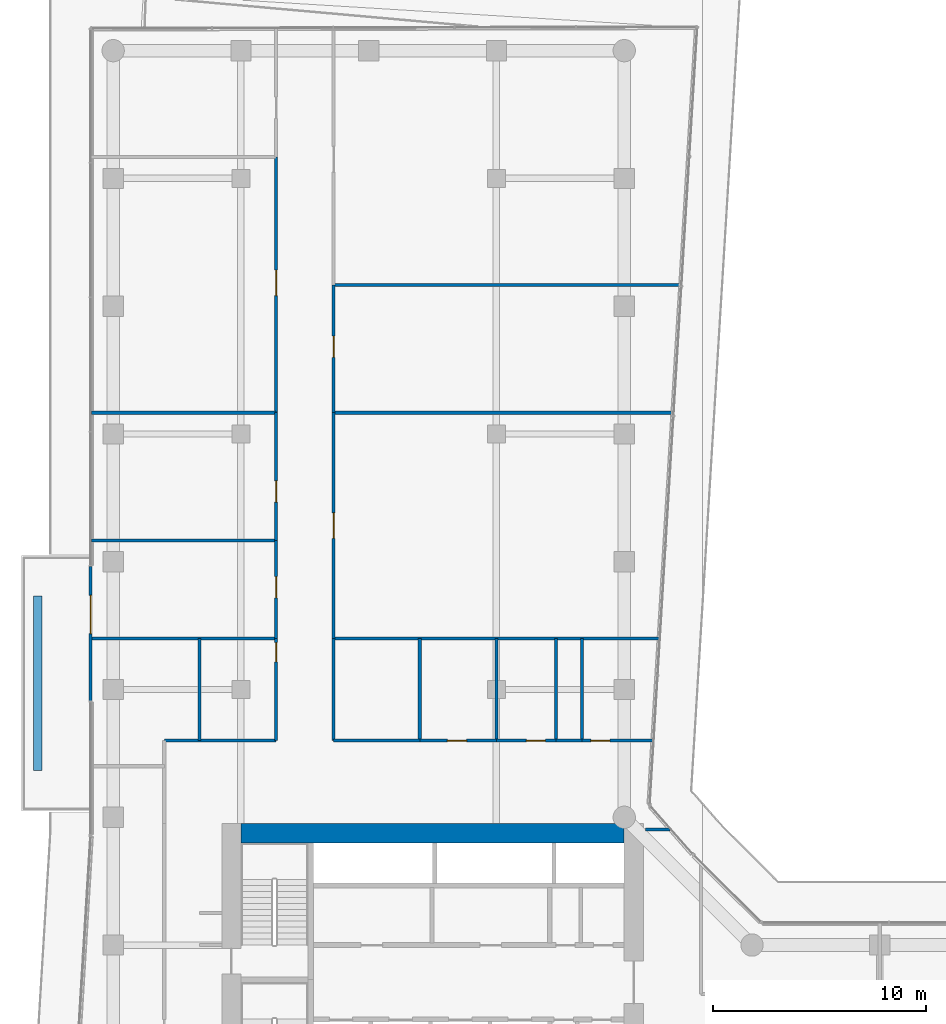
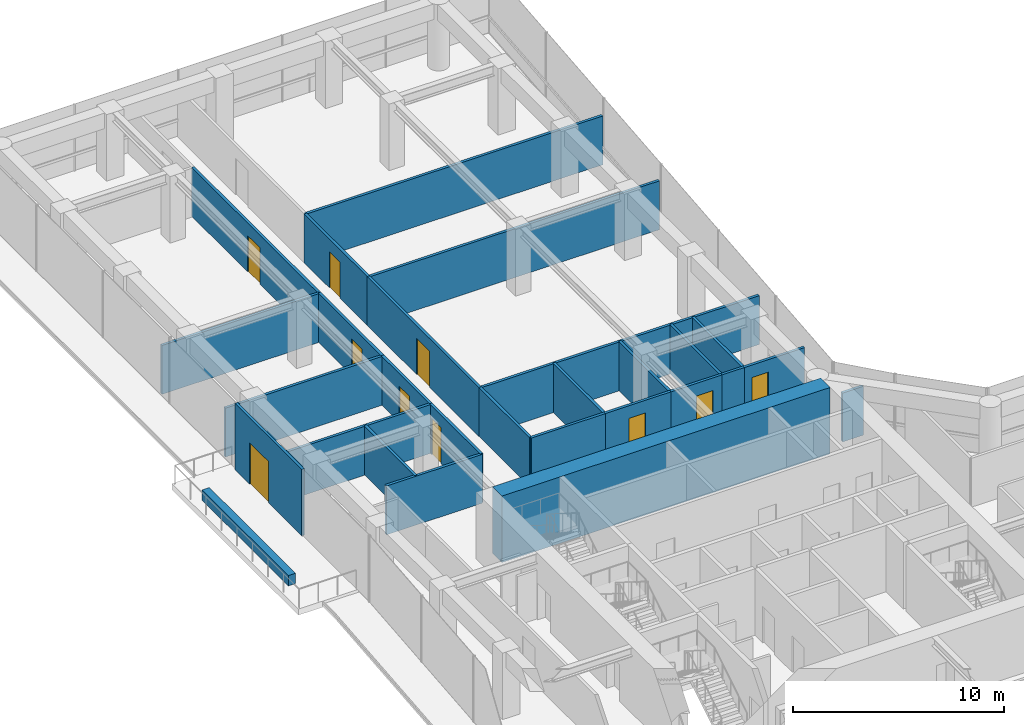
# One storey, part 23 of 27: 28 walls, 10 doors, 10 openings.
"""IFC4 building model written with IfcOpenShell, lengths in metres."""

from ifc_helpers import new_model, si_unit, direction, frame, frame_2d, origin, place, context, subcontext, project, spatial, rectangle, extrude, material, layer, layer_set, type_object, element, fill, save


model = new_model("IFC4")

# Units and contexts
model_context = context("Model", 3, precision=1e-05, world=origin(), true_north=direction((0.0, 1.0)))
body_context = subcontext(model_context, "Body", "Model", "MODEL_VIEW")
ifc_project = project(units=[si_unit("LENGTHUNIT", "METRE"), si_unit("AREAUNIT", "SQUARE_METRE"), si_unit("VOLUMEUNIT", "CUBIC_METRE"), si_unit("PLANEANGLEUNIT", "RADIAN"), si_unit("MASSUNIT", "GRAM", prefix="KILO")], contexts=[model_context])

# Site, building, storey
site_placement = place(None, origin())
site = spatial("IfcSite", under=ifc_project, at=site_placement, CompositionType="ELEMENT")
building_placement = place(site_placement, origin())
building = spatial("IfcBuilding", under=site, at=building_placement, Name="Welwitschia Terrace Campus", CompositionType="ELEMENT")
storey_placement = place(building_placement, frame((0.0, 0.0, 37.39990234375)))
storey = spatial("IfcBuildingStorey", under=building, at=storey_placement, Name="L08", CompositionType="ELEMENT", Elevation=37.39990234375)

# Wall, opening, door
ifc_material_1 = material(Name="Concrete C40/50", Category="concrete")
ifc_layer_1 = layer(ifc_material_1, 0.139892578125)
ifc_layer_set_1 = layer_set([ifc_layer_1], Name="Concrete C40/50")
wall_type_1 = type_object("IfcWallType", Name="Clad wall 140", PredefinedType="SOLIDWALL", material=ifc_layer_set_1)
wall_1_placement = place(storey_placement, frame((-1.05810546875, 37.784423828125, 0.0), z_axis=(0.0, 0.0, 1.0), x_axis=(0.0, -1.0, 0.0)))
wall_1 = element("IfcWall", 1, at=wall_1_placement, inside=storey, type_object=wall_type_1, Name="Clad wall L08.terrace door 0", PredefinedType="SOLIDWALL", context=body_context, shape_type="SweptSolid", body=[
    extrude(rectangle(XDim=6.31689453125, YDim=0.139892578125, at=frame_2d((3.158447265625, 0.0))), origin(), (0.0, 0.0, 1.0), 3.85009765625),
])
opening_1_placement = place(wall_1_placement, frame((1.35888671875, 0.0, 0.0)))
opening_1 = element("IfcOpeningElement", 2, at=opening_1_placement, cuts=wall_1, Name="Opening DE3", PredefinedType="OPENING", context=body_context, shape_type="SweptSolid", body=[
    extrude(rectangle(XDim=1.800048828125, YDim=2.39990234375, at=frame_2d((0.89990234375, 1.199951171875))), frame((0.0, 0.079833984375, 0.0), z_axis=(0.0, -1.0, 0.0), x_axis=(1.0, 0.0, 0.0)), (0.0, 0.0, 1.0), 0.159912109375),
])
ifc_material_2 = material(Name="Bronze anodised aluminium and glass", Category="aluminium")
door_type_1 = type_object("IfcDoorType", Name="Terrace door 1800x2400", OperationType="DOUBLE_DOOR_DOUBLE_SWING", PredefinedType="DOOR", material=ifc_material_2)
door_1_placement = place(opening_1_placement, origin())
door_1 = element("IfcDoor", 3, at=door_1_placement, inside=storey, type_object=door_type_1, Name="Door L08:T0", OperationType="DOUBLE_DOOR_DOUBLE_SWING", OverallHeight=2.39990234375, OverallWidth=1.800048828125, PredefinedType="DOOR", context=body_context, shape_type="SweptSolid", body=[
    extrude(rectangle(XDim=1.800048828125, YDim=2.39990234375, at=frame_2d((0.89990234375, 1.199951171875))), frame((0.0, 0.02490234375, 0.0), z_axis=(0.0, -1.0, 0.0), x_axis=(1.0, 0.0, 0.0)), (0.0, 0.0, 1.0), 0.050048828125),
])
fill(opening_1, door_1)

# Walls
ifc_material_3 = material(Name="Concrete C70/85", Category="concrete")
ifc_layer_2 = layer(ifc_material_3, 0.89990234375)
ifc_layer_set_2 = layer_set([ifc_layer_2], Name="Concrete C70/85")
wall_type_2 = type_object("IfcWallType", Name="Core wall 900 Concrete C70/85", PredefinedType="SHEAR", material=ifc_layer_set_2)
wall_2_placement = place(storey_placement, frame((6.0, 25.25, 0.0), z_axis=(0.0, 0.0, 1.0), x_axis=(1.0, 0.0, 0.0)))
element("IfcWall", 4, at=wall_2_placement, inside=storey, type_object=wall_type_2, Name="Core outer wall", PredefinedType="SHEAR", context=body_context, shape_type="SweptSolid", body=[
    extrude(rectangle(XDim=18.0, YDim=0.89990234375, at=frame_2d((9.0, 0.0))), origin(), (0.0, 0.0, 1.0), 3.85009765625),
])
ifc_material_4 = material(Name="Gypsum board on steel studs", Category="steel")
ifc_layer_3 = layer(ifc_material_4, 0.14990234375)
ifc_layer_set_3 = layer_set([ifc_layer_3], Name="Gypsum board on steel studs")
wall_type_3 = type_object("IfcWallType", Name="Corridor partition 150 EI 30", PredefinedType="PARTITIONING", material=ifc_layer_set_3)
for number, where, z_axis, x_axis, name in (
    (5, (-1.010009765625, 34.39990234375, 0.0), (0.0, 0.0, 1.0), (1.0, 0.0, 0.0), "Partition"),
    (6, (-1.010009765625, 39.0, 0.0), (0.0, 0.0, 1.0), (1.0, 0.0, 0.0), "Partition"),
    (7, (-1.010009765625, 45.0, 0.0), (0.0, 0.0, 1.0), (1.0, 0.0, 0.0), "Partition"),
):
    element("IfcWall", number, at=place(storey_placement, frame(where, z_axis=z_axis, x_axis=x_axis)), inside=storey, type_object=wall_type_3, Name=name, PredefinedType="PARTITIONING", context=body_context, shape_type="SweptSolid", body=[
        extrude(rectangle(XDim=8.659912109375, YDim=0.14990234375, at=frame_2d((4.330078125, 0.0))), origin(), (0.0, 0.0, 1.0), 2.830078125),
    ])
wall_3_placement = place(storey_placement, frame((2.39990234375, 29.60009765625, 0.0), z_axis=(0.0, 0.0, 1.0), x_axis=(1.0, 0.0, 0.0)))
element("IfcWall", 8, at=wall_3_placement, inside=storey, type_object=wall_type_3, Name="Partition", PredefinedType="PARTITIONING", context=body_context, shape_type="SweptSolid", body=[
    extrude(rectangle(XDim=5.25, YDim=0.14990234375, at=frame_2d((2.625, 0.0))), origin(), (0.0, 0.0, 1.0), 2.830078125),
])
wall_4_placement = place(storey_placement, frame((4.050048828125, 29.60009765625, 0.0), z_axis=(0.0, 0.0, 1.0), x_axis=(0.0, 1.0, 0.0)))
element("IfcWall", 9, at=wall_4_placement, inside=storey, type_object=wall_type_3, Name="Partition", PredefinedType="PARTITIONING", context=body_context, shape_type="SweptSolid", body=[
    extrude(rectangle(XDim=4.7998046875, YDim=0.14990234375, at=frame_2d((2.39990234375, 0.0))), origin(), (0.0, 0.0, 1.0), 2.830078125),
])

# Wall, opening, door
wall_5_placement = place(storey_placement, frame((7.64990234375, 29.60009765625, 0.0), z_axis=(0.0, 0.0, 1.0), x_axis=(0.0, 1.0, 0.0)))
wall_5 = element("IfcWall", 10, at=wall_5_placement, inside=storey, type_object=wall_type_3, Name="Partition", PredefinedType="PARTITIONING", context=body_context, shape_type="SweptSolid", body=[
    extrude(rectangle(XDim=4.7998046875, YDim=0.14990234375, at=frame_2d((2.39990234375, 0.0))), origin(), (0.0, 0.0, 1.0), 2.830078125),
])
opening_2_placement = place(wall_5_placement, frame((3.699951171875, 0.0, 0.0)))
opening_2 = element("IfcOpeningElement", 11, at=opening_2_placement, cuts=wall_5, Name="Opening DI09", PredefinedType="OPENING", context=body_context, shape_type="SweptSolid", body=[
    extrude(rectangle(XDim=0.89990234375, YDim=2.10009765625, at=frame_2d((0.449951171875, 1.050048828125))), frame((0.0, 0.0849609375, 0.0), z_axis=(0.0, -1.0, 0.0), x_axis=(1.0, 0.0, 0.0)), (0.0, 0.0, 1.0), 0.169921875),
])
ifc_material_5 = material(Name="Timber veneered door", Category="wood")
door_type_2 = type_object("IfcDoorType", Name="Interior door DI09", OperationType="NOTDEFINED", PredefinedType="DOOR", material=ifc_material_5)
door_2_placement = place(opening_2_placement, origin())
door_2 = element("IfcDoor", 12, at=door_2_placement, inside=storey, type_object=door_type_2, Name="Door L08 189", OperationType="SINGLE_SWING_RIGHT", OverallHeight=2.10009765625, OverallWidth=0.89990234375, PredefinedType="DOOR", context=body_context, shape_type="SweptSolid", body=[
    extrude(rectangle(XDim=0.89990234375, YDim=2.10009765625, at=frame_2d((0.449951171875, 1.050048828125))), frame((0.0, 0.02490234375, 0.0), z_axis=(0.0, -1.0, 0.0), x_axis=(1.0, 0.0, 0.0)), (0.0, 0.0, 1.0), 0.050048828125),
])
fill(opening_2, door_2)

wall_6_placement = place(storey_placement, frame((7.64990234375, 34.39990234375, 0.0), z_axis=(0.0, 0.0, 1.0), x_axis=(0.0, 1.0, 0.0)))
wall_6 = element("IfcWall", 13, at=wall_6_placement, inside=storey, type_object=wall_type_3, Name="Partition", PredefinedType="PARTITIONING", context=body_context, shape_type="SweptSolid", body=[
    extrude(rectangle(XDim=4.60009765625, YDim=0.14990234375, at=frame_2d((2.300048828125, 0.0))), origin(), (0.0, 0.0, 1.0), 2.830078125),
])
opening_3_placement = place(wall_6_placement, frame((1.89990234375, 0.0, 0.0)))
opening_3 = element("IfcOpeningElement", 14, at=opening_3_placement, cuts=wall_6, Name="Opening DI10", PredefinedType="OPENING", context=body_context, shape_type="SweptSolid", body=[
    extrude(rectangle(XDim=1.0, YDim=2.10009765625, at=frame_2d((0.5, 1.050048828125))), frame((0.0, 0.0849609375, 0.0), z_axis=(0.0, -1.0, 0.0), x_axis=(1.0, 0.0, 0.0)), (0.0, 0.0, 1.0), 0.169921875),
])
ifc_material_6 = material(Name="Timber veneered door", Category="wood")
door_type_3 = type_object("IfcDoorType", Name="Interior door DI10", OperationType="NOTDEFINED", PredefinedType="DOOR", material=ifc_material_6)
door_3_placement = place(opening_3_placement, origin())
door_3 = element("IfcDoor", 15, at=door_3_placement, inside=storey, type_object=door_type_3, Name="Door L08 190", OperationType="SINGLE_SWING_LEFT", OverallHeight=2.10009765625, OverallWidth=1.0, PredefinedType="DOOR", context=body_context, shape_type="SweptSolid", body=[
    extrude(rectangle(XDim=1.0, YDim=2.10009765625, at=frame_2d((0.5, 1.050048828125))), frame((0.0, 0.02490234375, 0.0), z_axis=(0.0, -1.0, 0.0), x_axis=(1.0, 0.0, 0.0)), (0.0, 0.0, 1.0), 0.050048828125),
])
fill(opening_3, door_3)

wall_7_placement = place(storey_placement, frame((7.64990234375, 39.0, 0.0), z_axis=(0.0, 0.0, 1.0), x_axis=(0.0, 1.0, 0.0)))
wall_7 = element("IfcWall", 16, at=wall_7_placement, inside=storey, type_object=wall_type_3, Name="Partition", PredefinedType="PARTITIONING", context=body_context, shape_type="SweptSolid", body=[
    extrude(rectangle(XDim=6.0, YDim=0.14990234375, at=frame_2d((3.0, 0.0))), origin(), (0.0, 0.0, 1.0), 2.830078125),
])
opening_4_placement = place(wall_7_placement, frame((1.800048828125, 0.0, 0.0)))
opening_4 = element("IfcOpeningElement", 17, at=opening_4_placement, cuts=wall_7, Name="Opening DI10", PredefinedType="OPENING", context=body_context, shape_type="SweptSolid", body=[
    extrude(rectangle(XDim=1.0, YDim=2.10009765625, at=frame_2d((0.5, 1.050048828125))), frame((0.0, 0.0849609375, 0.0), z_axis=(0.0, -1.0, 0.0), x_axis=(1.0, 0.0, 0.0)), (0.0, 0.0, 1.0), 0.169921875),
])
door_4_placement = place(opening_4_placement, origin())
door_4 = element("IfcDoor", 18, at=door_4_placement, inside=storey, type_object=door_type_3, Name="Door L08 191", OperationType="SINGLE_SWING_RIGHT", OverallHeight=2.10009765625, OverallWidth=1.0, PredefinedType="DOOR", context=body_context, shape_type="SweptSolid", body=[
    extrude(rectangle(XDim=1.0, YDim=2.10009765625, at=frame_2d((0.5, 1.050048828125))), frame((0.0, 0.02490234375, 0.0), z_axis=(0.0, -1.0, 0.0), x_axis=(1.0, 0.0, 0.0)), (0.0, 0.0, 1.0), 0.050048828125),
])
fill(opening_4, door_4)

wall_8_placement = place(storey_placement, frame((7.64990234375, 45.0, 0.0), z_axis=(0.0, 0.0, 1.0), x_axis=(0.0, 1.0, 0.0)))
wall_8 = element("IfcWall", 19, at=wall_8_placement, inside=storey, type_object=wall_type_3, Name="Partition", PredefinedType="PARTITIONING", context=body_context, shape_type="SweptSolid", body=[
    extrude(rectangle(XDim=12.0, YDim=0.14990234375, at=frame_2d((6.0, 0.0))), origin(), (0.0, 0.0, 1.0), 2.830078125),
])
opening_5_placement = place(wall_8_placement, frame((5.5, 0.0, 0.0)))
opening_5 = element("IfcOpeningElement", 20, at=opening_5_placement, cuts=wall_8, Name="Opening DI12", PredefinedType="OPENING", context=body_context, shape_type="SweptSolid", body=[
    extrude(rectangle(XDim=1.199951171875, YDim=2.10009765625, at=frame_2d((0.60009765625, 1.050048828125))), frame((0.0, 0.0849609375, 0.0), z_axis=(0.0, -1.0, 0.0), x_axis=(1.0, 0.0, 0.0)), (0.0, 0.0, 1.0), 0.169921875),
])
ifc_material_7 = material(Name="Timber veneered door", Category="wood")
door_type_4 = type_object("IfcDoorType", Name="Interior door DI12", OperationType="NOTDEFINED", PredefinedType="DOOR", material=ifc_material_7)
door_5_placement = place(opening_5_placement, origin())
door_5 = element("IfcDoor", 21, at=door_5_placement, inside=storey, type_object=door_type_4, Name="Door L08 192", OperationType="SINGLE_SWING_LEFT", OverallHeight=2.10009765625, OverallWidth=1.199951171875, PredefinedType="DOOR", context=body_context, shape_type="SweptSolid", body=[
    extrude(rectangle(XDim=1.199951171875, YDim=2.10009765625, at=frame_2d((0.60009765625, 1.050048828125))), frame((0.0, 0.02490234375, 0.0), z_axis=(0.0, -1.0, 0.0), x_axis=(1.0, 0.0, 0.0)), (0.0, 0.0, 1.0), 0.050048828125),
])
fill(opening_5, door_5)

# Walls
wall_9_placement = place(storey_placement, frame((10.35009765625, 29.60009765625, 0.0), z_axis=(0.0, 0.0, 1.0), x_axis=(0.0, 1.0, 0.0)))
element("IfcWall", 22, at=wall_9_placement, inside=storey, type_object=wall_type_3, Name="Partition", PredefinedType="PARTITIONING", context=body_context, shape_type="SweptSolid", body=[
    extrude(rectangle(XDim=4.7998046875, YDim=0.14990234375, at=frame_2d((2.39990234375, 0.0))), origin(), (0.0, 0.0, 1.0), 2.830078125),
])
wall_10_placement = place(storey_placement, frame((10.35009765625, 29.60009765625, 0.0), z_axis=(0.0, 0.0, 1.0), x_axis=(1.0, 0.0, 0.0)))
element("IfcWall", 23, at=wall_10_placement, inside=storey, type_object=wall_type_3, Name="Partition", PredefinedType="PARTITIONING", context=body_context, shape_type="SweptSolid", body=[
    extrude(rectangle(XDim=4.0498046875, YDim=0.14990234375, at=frame_2d((2.02490234375, 0.0))), origin(), (0.0, 0.0, 1.0), 2.830078125),
])
wall_11_placement = place(storey_placement, frame((10.35009765625, 34.39990234375, 0.0), z_axis=(0.0, 0.0, 1.0), x_axis=(1.0, 0.0, 0.0)))
element("IfcWall", 24, at=wall_11_placement, inside=storey, type_object=wall_type_3, Name="Partition", PredefinedType="PARTITIONING", context=body_context, shape_type="SweptSolid", body=[
    extrude(rectangle(XDim=15.27001953125, YDim=0.14990234375, at=frame_2d((7.635009765625, 0.0))), origin(), (0.0, 0.0, 1.0), 2.830078125),
])

# Wall, opening, door
wall_12_placement = place(storey_placement, frame((10.35009765625, 45.0, 0.0), z_axis=(0.0, 0.0, 1.0), x_axis=(0.0, -1.0, 0.0)))
wall_12 = element("IfcWall", 25, at=wall_12_placement, inside=storey, type_object=wall_type_3, Name="Partition", PredefinedType="PARTITIONING", context=body_context, shape_type="SweptSolid", body=[
    extrude(rectangle(XDim=10.60009765625, YDim=0.14990234375, at=frame_2d((5.300048828125, 0.0))), origin(), (0.0, 0.0, 1.0), 2.830078125),
])
opening_6_placement = place(wall_12_placement, frame((4.699951171875, 0.0, 0.0)))
opening_6 = element("IfcOpeningElement", 26, at=opening_6_placement, cuts=wall_12, Name="Opening DI12", PredefinedType="OPENING", context=body_context, shape_type="SweptSolid", body=[
    extrude(rectangle(XDim=1.199951171875, YDim=2.10009765625, at=frame_2d((0.60009765625, 1.050048828125))), frame((0.0, 0.0849609375, 0.0), z_axis=(0.0, -1.0, 0.0), x_axis=(1.0, 0.0, 0.0)), (0.0, 0.0, 1.0), 0.169921875),
])
door_6_placement = place(opening_6_placement, origin())
door_6 = element("IfcDoor", 27, at=door_6_placement, inside=storey, type_object=door_type_4, Name="Door L08 194", OperationType="SINGLE_SWING_LEFT", OverallHeight=2.10009765625, OverallWidth=1.199951171875, PredefinedType="DOOR", context=body_context, shape_type="SweptSolid", body=[
    extrude(rectangle(XDim=1.199951171875, YDim=2.10009765625, at=frame_2d((0.60009765625, 1.050048828125))), frame((0.0, 0.02490234375, 0.0), z_axis=(0.0, -1.0, 0.0), x_axis=(1.0, 0.0, 0.0)), (0.0, 0.0, 1.0), 0.050048828125),
])
fill(opening_6, door_6)

# Wall
wall_13_placement = place(storey_placement, frame((10.35009765625, 45.0, 0.0), z_axis=(0.0, 0.0, 1.0), x_axis=(1.0, 0.0, 0.0)))
element("IfcWall", 28, at=wall_13_placement, inside=storey, type_object=wall_type_3, Name="Partition", PredefinedType="PARTITIONING", context=body_context, shape_type="SweptSolid", body=[
    extrude(rectangle(XDim=15.919921875, YDim=0.14990234375, at=frame_2d((7.9599609375, 0.0))), origin(), (0.0, 0.0, 1.0), 2.830078125),
])

# Wall, opening, door
wall_14_placement = place(storey_placement, frame((10.35009765625, 51.0, 0.0), z_axis=(0.0, 0.0, 1.0), x_axis=(0.0, -1.0, 0.0)))
wall_14 = element("IfcWall", 29, at=wall_14_placement, inside=storey, type_object=wall_type_3, Name="Partition", PredefinedType="PARTITIONING", context=body_context, shape_type="SweptSolid", body=[
    extrude(rectangle(XDim=6.0, YDim=0.14990234375, at=frame_2d((3.0, 0.0))), origin(), (0.0, 0.0, 1.0), 2.830078125),
])
opening_7_placement = place(wall_14_placement, frame((2.39990234375, 0.0, 0.0)))
opening_7 = element("IfcOpeningElement", 30, at=opening_7_placement, cuts=wall_14, Name="Opening DI10", PredefinedType="OPENING", context=body_context, shape_type="SweptSolid", body=[
    extrude(rectangle(XDim=1.0, YDim=2.10009765625, at=frame_2d((0.5, 1.050048828125))), frame((0.0, 0.0849609375, 0.0), z_axis=(0.0, -1.0, 0.0), x_axis=(1.0, 0.0, 0.0)), (0.0, 0.0, 1.0), 0.169921875),
])
door_7_placement = place(opening_7_placement, origin())
door_7 = element("IfcDoor", 31, at=door_7_placement, inside=storey, type_object=door_type_3, Name="Door L08 195", OperationType="SINGLE_SWING_RIGHT", OverallHeight=2.10009765625, OverallWidth=1.0, PredefinedType="DOOR", context=body_context, shape_type="SweptSolid", body=[
    extrude(rectangle(XDim=1.0, YDim=2.10009765625, at=frame_2d((0.5, 1.050048828125))), frame((0.0, 0.02490234375, 0.0), z_axis=(0.0, -1.0, 0.0), x_axis=(1.0, 0.0, 0.0)), (0.0, 0.0, 1.0), 0.050048828125),
])
fill(opening_7, door_7)

# Walls
wall_15_placement = place(storey_placement, frame((10.35009765625, 51.0, 0.0), z_axis=(0.0, 0.0, 1.0), x_axis=(1.0, 0.0, 0.0)))
element("IfcWall", 32, at=wall_15_placement, inside=storey, type_object=wall_type_3, Name="Partition", PredefinedType="PARTITIONING", context=body_context, shape_type="SweptSolid", body=[
    extrude(rectangle(XDim=16.268798828125, YDim=0.14990234375, at=frame_2d((8.13427734375, 0.0))), origin(), (0.0, 0.0, 1.0), 2.830078125),
])
wall_16_placement = place(storey_placement, frame((14.39990234375, 29.60009765625, 0.0), z_axis=(0.0, 0.0, 1.0), x_axis=(0.0, 1.0, 0.0)))
element("IfcWall", 33, at=wall_16_placement, inside=storey, type_object=wall_type_3, Name="Partition", PredefinedType="PARTITIONING", context=body_context, shape_type="SweptSolid", body=[
    extrude(rectangle(XDim=4.7998046875, YDim=0.14990234375, at=frame_2d((2.39990234375, 0.0))), origin(), (0.0, 0.0, 1.0), 2.830078125),
])

# Wall, opening, door
wall_17_placement = place(storey_placement, frame((14.39990234375, 29.60009765625, 0.0), z_axis=(0.0, 0.0, 1.0), x_axis=(1.0, 0.0, 0.0)))
wall_17 = element("IfcWall", 34, at=wall_17_placement, inside=storey, type_object=wall_type_3, Name="Partition", PredefinedType="PARTITIONING", context=body_context, shape_type="SweptSolid", body=[
    extrude(rectangle(XDim=3.60009765625, YDim=0.14990234375, at=frame_2d((1.800048828125, 0.0))), origin(), (0.0, 0.0, 1.0), 2.830078125),
])
opening_8_placement = place(wall_17_placement, frame((1.300048828125, 0.0, 0.0)))
opening_8 = element("IfcOpeningElement", 35, at=opening_8_placement, cuts=wall_17, Name="Opening DI09", PredefinedType="OPENING", context=body_context, shape_type="SweptSolid", body=[
    extrude(rectangle(XDim=0.89990234375, YDim=2.10009765625, at=frame_2d((0.449951171875, 1.050048828125))), frame((0.0, 0.0849609375, 0.0), z_axis=(0.0, -1.0, 0.0), x_axis=(1.0, 0.0, 0.0)), (0.0, 0.0, 1.0), 0.169921875),
])
door_8_placement = place(opening_8_placement, origin())
door_8 = element("IfcDoor", 36, at=door_8_placement, inside=storey, type_object=door_type_2, Name="Door L08 197", OperationType="SINGLE_SWING_RIGHT", OverallHeight=2.10009765625, OverallWidth=0.89990234375, PredefinedType="DOOR", context=body_context, shape_type="SweptSolid", body=[
    extrude(rectangle(XDim=0.89990234375, YDim=2.10009765625, at=frame_2d((0.449951171875, 1.050048828125))), frame((0.0, 0.02490234375, 0.0), z_axis=(0.0, -1.0, 0.0), x_axis=(1.0, 0.0, 0.0)), (0.0, 0.0, 1.0), 0.050048828125),
])
fill(opening_8, door_8)

# Wall
wall_18_placement = place(storey_placement, frame((18.0, 29.60009765625, 0.0), z_axis=(0.0, 0.0, 1.0), x_axis=(0.0, 1.0, 0.0)))
element("IfcWall", 37, at=wall_18_placement, inside=storey, type_object=wall_type_3, Name="Partition", PredefinedType="PARTITIONING", context=body_context, shape_type="SweptSolid", body=[
    extrude(rectangle(XDim=4.7998046875, YDim=0.14990234375, at=frame_2d((2.39990234375, 0.0))), origin(), (0.0, 0.0, 1.0), 2.830078125),
])

# Wall, opening, door
wall_19_placement = place(storey_placement, frame((18.0, 29.60009765625, 0.0), z_axis=(0.0, 0.0, 1.0), x_axis=(1.0, 0.0, 0.0)))
wall_19 = element("IfcWall", 38, at=wall_19_placement, inside=storey, type_object=wall_type_3, Name="Partition", PredefinedType="PARTITIONING", context=body_context, shape_type="SweptSolid", body=[
    extrude(rectangle(XDim=2.800048828125, YDim=0.14990234375, at=frame_2d((1.39990234375, 0.0))), origin(), (0.0, 0.0, 1.0), 2.830078125),
])
opening_9_placement = place(wall_19_placement, frame((1.39990234375, 0.0, 0.0)))
opening_9 = element("IfcOpeningElement", 39, at=opening_9_placement, cuts=wall_19, Name="Opening DI09", PredefinedType="OPENING", context=body_context, shape_type="SweptSolid", body=[
    extrude(rectangle(XDim=0.89990234375, YDim=2.10009765625, at=frame_2d((0.449951171875, 1.050048828125))), frame((0.0, 0.0849609375, 0.0), z_axis=(0.0, -1.0, 0.0), x_axis=(1.0, 0.0, 0.0)), (0.0, 0.0, 1.0), 0.169921875),
])
door_9_placement = place(opening_9_placement, origin())
door_9 = element("IfcDoor", 40, at=door_9_placement, inside=storey, type_object=door_type_2, Name="Door L08 198", OperationType="SINGLE_SWING_LEFT", OverallHeight=2.10009765625, OverallWidth=0.89990234375, PredefinedType="DOOR", context=body_context, shape_type="SweptSolid", body=[
    extrude(rectangle(XDim=0.89990234375, YDim=2.10009765625, at=frame_2d((0.449951171875, 1.050048828125))), frame((0.0, 0.02490234375, 0.0), z_axis=(0.0, -1.0, 0.0), x_axis=(1.0, 0.0, 0.0)), (0.0, 0.0, 1.0), 0.050048828125),
])
fill(opening_9, door_9)

# Walls
wall_20_placement = place(storey_placement, frame((20.800048828125, 29.60009765625, 0.0), z_axis=(0.0, 0.0, 1.0), x_axis=(0.0, 1.0, 0.0)))
element("IfcWall", 41, at=wall_20_placement, inside=storey, type_object=wall_type_3, Name="Partition", PredefinedType="PARTITIONING", context=body_context, shape_type="SweptSolid", body=[
    extrude(rectangle(XDim=4.7998046875, YDim=0.14990234375, at=frame_2d((2.39990234375, 0.0))), origin(), (0.0, 0.0, 1.0), 2.830078125),
])
wall_21_placement = place(storey_placement, frame((20.800048828125, 29.60009765625, 0.0), z_axis=(0.0, 0.0, 1.0), x_axis=(1.0, 0.0, 0.0)))
element("IfcWall", 42, at=wall_21_placement, inside=storey, type_object=wall_type_3, Name="Partition", PredefinedType="PARTITIONING", context=body_context, shape_type="SweptSolid", body=[
    extrude(rectangle(XDim=1.219970703125, YDim=0.14990234375, at=frame_2d((0.60986328125, 0.0))), origin(), (0.0, 0.0, 1.0), 2.830078125),
])
wall_22_placement = place(storey_placement, frame((22.02001953125, 29.60009765625, 0.0), z_axis=(0.0, 0.0, 1.0), x_axis=(0.0, 1.0, 0.0)))
element("IfcWall", 43, at=wall_22_placement, inside=storey, type_object=wall_type_3, Name="Partition", PredefinedType="PARTITIONING", context=body_context, shape_type="SweptSolid", body=[
    extrude(rectangle(XDim=4.7998046875, YDim=0.14990234375, at=frame_2d((2.39990234375, 0.0))), origin(), (0.0, 0.0, 1.0), 2.830078125),
])

# Wall, opening, door
wall_23_placement = place(storey_placement, frame((22.02001953125, 29.60009765625, 0.0), z_axis=(0.0, 0.0, 1.0), x_axis=(1.0, 0.0, 0.0)))
wall_23 = element("IfcWall", 44, at=wall_23_placement, inside=storey, type_object=wall_type_3, Name="Partition", PredefinedType="PARTITIONING", context=body_context, shape_type="SweptSolid", body=[
    extrude(rectangle(XDim=3.31005859375, YDim=0.14990234375, at=frame_2d((1.655029296875, 0.0))), origin(), (0.0, 0.0, 1.0), 2.830078125),
])
opening_10_placement = place(wall_23_placement, frame((0.409912109375, 0.0, 0.0)))
opening_10 = element("IfcOpeningElement", 45, at=opening_10_placement, cuts=wall_23, Name="Opening DI09", PredefinedType="OPENING", context=body_context, shape_type="SweptSolid", body=[
    extrude(rectangle(XDim=0.89990234375, YDim=2.10009765625, at=frame_2d((0.449951171875, 1.050048828125))), frame((0.0, 0.0849609375, 0.0), z_axis=(0.0, -1.0, 0.0), x_axis=(1.0, 0.0, 0.0)), (0.0, 0.0, 1.0), 0.169921875),
])
door_10_placement = place(opening_10_placement, origin())
door_10 = element("IfcDoor", 46, at=door_10_placement, inside=storey, type_object=door_type_2, Name="Door L08 199", OperationType="SINGLE_SWING_RIGHT", OverallHeight=2.10009765625, OverallWidth=0.89990234375, PredefinedType="DOOR", context=body_context, shape_type="SweptSolid", body=[
    extrude(rectangle(XDim=0.89990234375, YDim=2.10009765625, at=frame_2d((0.449951171875, 1.050048828125))), frame((0.0, 0.02490234375, 0.0), z_axis=(0.0, -1.0, 0.0), x_axis=(1.0, 0.0, 0.0)), (0.0, 0.0, 1.0), 0.050048828125),
])
fill(opening_10, door_10)

# Walls
wall_24_placement = place(storey_placement, frame((25.0, 25.429931640625, 0.0), z_axis=(0.0, 0.0, 1.0), x_axis=(1.0, 0.0, 0.0)))
element("IfcWall", 47, at=wall_24_placement, inside=storey, type_object=wall_type_3, Name="Partition", PredefinedType="PARTITIONING", context=body_context, shape_type="SweptSolid", body=[
    extrude(rectangle(XDim=1.139892578125, YDim=0.14990234375, at=frame_2d((0.56982421875, 0.0))), origin(), (0.0, 0.0, 1.0), 2.830078125),
])
ifc_material_8 = material(Name="Concrete C40/50", Category="concrete")
ifc_layer_4 = layer(ifc_material_8, 0.39990234375)
ifc_layer_set_4 = layer_set([ifc_layer_4], Name="Concrete C40/50")
wall_type_4 = type_object("IfcWallType", Name="Planter wall 400", PredefinedType="SOLIDWALL", material=ifc_layer_set_4)
wall_25_placement = place(storey_placement, frame((-3.550048828125, 28.19287109375, 0.0), z_axis=(0.0, 0.0, 1.0), x_axis=(0.0, 1.0, 0.0)))
element("IfcWall", 48, at=wall_25_placement, inside=storey, type_object=wall_type_4, Name="PLANTER", PredefinedType="SOLIDWALL", context=body_context, shape_type="SweptSolid", body=[
    extrude(rectangle(XDim=8.199951171875, YDim=0.39990234375, at=frame_2d((4.10009765625, 0.0))), origin(), (0.0, 0.0, 1.0), 0.60009765625),
])

save(model, "model.ifc")
